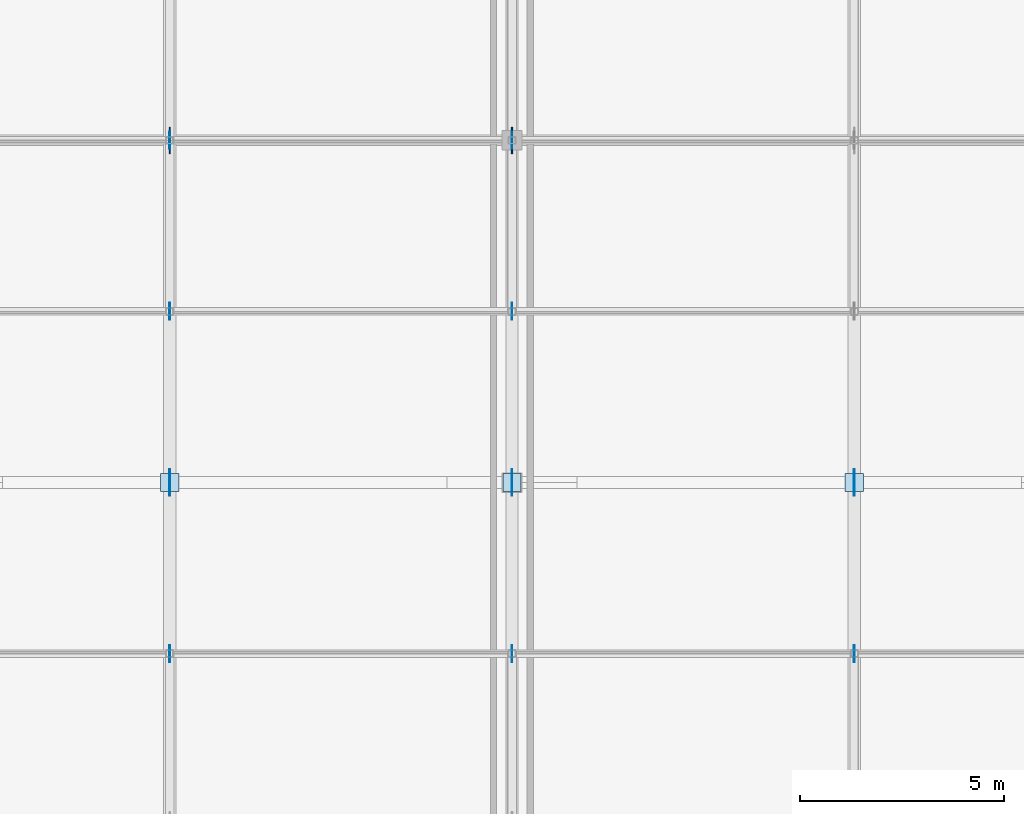
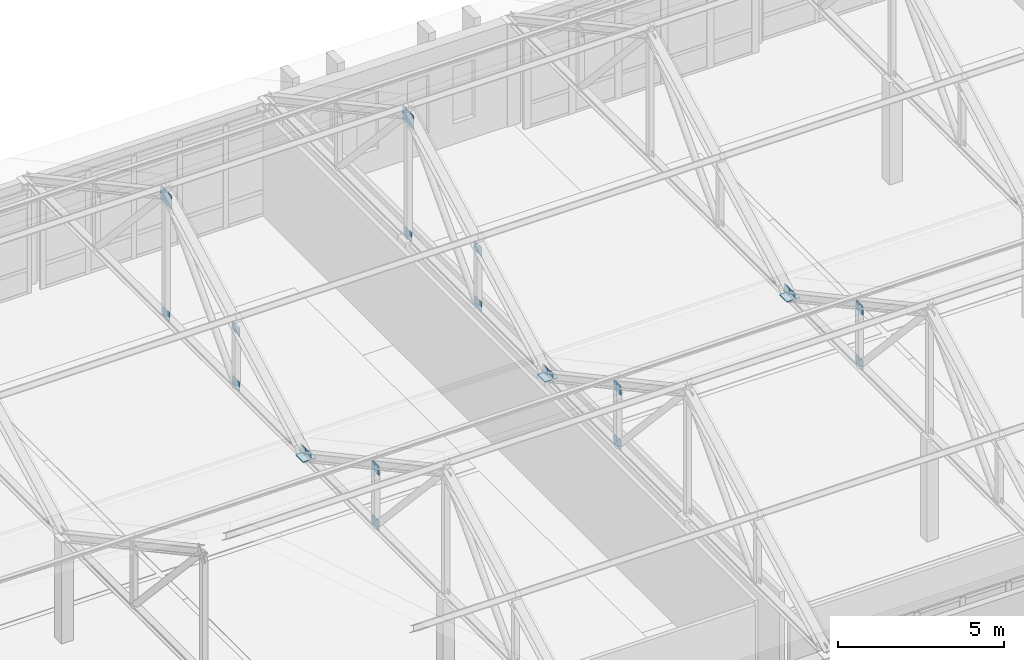
# One storey, part 78 of 110: 23 plates.
"""IFC4 building model written with IfcOpenShell, lengths in metres."""

import ifcopenshell
import ifcopenshell.guid

model = None  # the IFC model being written
_history = None  # IfcOwnerHistory: only IFC2X3 demands one
_inside = {}  # id of a spatial element -> (the spatial element, [elements in it])
_under = {}  # id of a project, library or spatial element -> (it, [spatial elements below it])
_declared = {}  # id of a project -> (the project, [libraries it declares])
_typed = {}  # id of a type object -> (the type object, [elements of that type])
_made_of = {}  # id of a material, layer set ... -> (it, [elements and type objects made of it])


def new_model(schema):
    """Start an empty IFC model of exactly this schema.

    Asked for "IFC4X3", IfcOpenShell would pick the latest addendum, in which some entities
    have other attributes; the version numbers below select the first issue.
    IFC2X3 requires an IfcOwnerHistory on every rooted entity: one is made here for all.
    """
    global model, _history
    if schema == "IFC4X3":
        model = ifcopenshell.file(schema_version=(4, 3, 0, 0))
    else:
        model = ifcopenshell.file(schema=schema)
    _inside.clear()
    _under.clear()
    _declared.clear()
    _typed.clear()
    _made_of.clear()
    _history = None
    if model.schema == "IFC2X3":
        org = make("IfcOrganization", Name="unknown")
        user = make(
            "IfcPersonAndOrganization",
            ThePerson=make("IfcPerson", FamilyName="unknown"),
            TheOrganization=org,
        )
        app = make(
            "IfcApplication",
            ApplicationDeveloper=org,
            Version="unknown",
            ApplicationFullName="unknown",
            ApplicationIdentifier="unknown",
        )
        _history = make(
            "IfcOwnerHistory",
            OwningUser=user,
            OwningApplication=app,
            ChangeAction="ADDED",
            CreationDate=0,
        )
    return model


def make(cls, **values):
    """One entity of the class cls with the attributes given. An attribute that is None is left unset."""
    return model.create_entity(
        cls, **{name: value for name, value in values.items() if value is not None}
    )


def rooted(cls, **values):
    """An entity with a GlobalId (a new one), such as an element, a storey or a relation."""
    return make(cls, GlobalId=ifcopenshell.guid.new(), OwnerHistory=_history, **values)


def si_unit(unit_type, name, prefix=None):
    """IfcSIUnit, for example si_unit("LENGTHUNIT", "METRE", prefix="MILLI")."""
    return make("IfcSIUnit", UnitType=unit_type, Prefix=prefix, Name=name)


def assignment(units):
    """IfcUnitAssignment: the units of a project."""
    return None if units is None else make("IfcUnitAssignment", Units=units)


def point(xyz):
    """IfcCartesianPoint."""
    return None if xyz is None else make("IfcCartesianPoint", Coordinates=xyz)


def direction(xyz):
    """IfcDirection."""
    return None if xyz is None else make("IfcDirection", DirectionRatios=xyz)


def frame(location, z_axis=None, x_axis=None):
    """IfcAxis2Placement3D, a coordinate frame: its origin and axes. An axis left out is left unset."""
    return make(
        "IfcAxis2Placement3D",
        Location=point(location),
        Axis=direction(z_axis),
        RefDirection=direction(x_axis),
    )


def frame_2d(location, x_axis=None):
    """IfcAxis2Placement2D, a coordinate frame in the plane: its origin and x axis."""
    return make(
        "IfcAxis2Placement2D", Location=point(location), RefDirection=direction(x_axis)
    )


def origin():
    """The frame at (0, 0, 0) with its axes left unset."""
    return frame((0.0, 0.0, 0.0))


def origin_2d():
    """The frame at (0, 0) in the plane with its x axis left unset."""
    return frame_2d((0.0, 0.0))


def place(relative_to, where):
    """IfcLocalPlacement: puts the frame where relative to a parent placement (None: the world)."""
    return make(
        "IfcLocalPlacement", PlacementRelTo=relative_to, RelativePlacement=where
    )


def context(
    kind, dimensions, precision=None, world=None, true_north=None, identifier=None
):
    """IfcGeometricRepresentationContext, for example the 3D "Model" context."""
    return make(
        "IfcGeometricRepresentationContext",
        ContextIdentifier=identifier,
        ContextType=kind,
        CoordinateSpaceDimension=dimensions,
        Precision=precision,
        WorldCoordinateSystem=world,
        TrueNorth=true_north,
    )


def subcontext(parent, identifier, kind, view, scale=None):
    """IfcGeometricRepresentationSubContext, for example "Body" below "Model"."""
    return make(
        "IfcGeometricRepresentationSubContext",
        ContextIdentifier=identifier,
        ContextType=kind,
        ParentContext=parent,
        TargetScale=scale,
        TargetView=view,
    )


def project(units=None, contexts=None):
    """IfcProject with its units and contexts."""
    return rooted(
        "IfcProject",
        Name="project",
        RepresentationContexts=contexts,
        UnitsInContext=assignment(units),
    )


def spatial(cls, under=None, at=None, **own):
    """A site, building, storey or space (cls), placed at a placement, below another one or the project."""
    s = rooted(cls, ObjectPlacement=at, **own)
    if under is not None:
        _under.setdefault(under.id(), (under, []))[1].append(s)
    return s


def profile(cls, at=None, kind="AREA", **sizes):
    """A parametric profile (cls). Its sizes go by their IFC names, for example OverallWidth=200.0."""
    return make(cls, ProfileType=kind, Position=at, **sizes)


def rectangle(**sizes):
    """IfcRectangleProfileDef."""
    return profile("IfcRectangleProfileDef", **sizes)


def extrude(swept, where, along, depth):
    """IfcExtrudedAreaSolid: the profile swept, set in the frame where, extruded along a direction by depth."""
    return make(
        "IfcExtrudedAreaSolid",
        SweptArea=swept,
        Position=where,
        ExtrudedDirection=direction(along),
        Depth=depth,
    )


def shape(context_of_items, identifier, shape_type, items):
    """IfcShapeRepresentation: the items that make up one representation, for example the "Body"."""
    return make(
        "IfcShapeRepresentation",
        ContextOfItems=context_of_items,
        RepresentationIdentifier=identifier,
        RepresentationType=shape_type,
        Items=items,
    )


def material(Name=None, Category=None):
    """IfcMaterial."""
    return make("IfcMaterial", Name=Name, Category=Category)


def layer(
    of_material, thickness, ventilated=None, Name=None, Category=None, Priority=None
):
    """IfcMaterialLayer: one layer of a wall or slab, of a material (None: an air gap)."""
    return make(
        "IfcMaterialLayer",
        Material=of_material,
        LayerThickness=thickness,
        IsVentilated=ventilated,
        Name=Name,
        Category=Category,
        Priority=Priority,
    )


def layer_set(layers, Name=None):
    """IfcMaterialLayerSet."""
    return make("IfcMaterialLayerSet", MaterialLayers=layers, LayerSetName=Name)


def made_of(thing, what):
    """Note that an element or type object is made of a material, layer set ...; save() writes the relation."""
    if what is not None:
        _made_of.setdefault(what.id(), (what, []))[1].append(thing)
    return thing


def type_object(cls, material=None, **own):
    """A type object (cls), such as IfcWallType, which elements share."""
    return made_of(rooted(cls, **own), material)


def element(
    cls,
    number,
    at=None,
    inside=None,
    cuts=None,
    type_object=None,
    material=None,
    context=None,
    identifier="Body",
    shape_type=None,
    held_by="IfcProductDefinitionShape",
    body=None,
    shapes=None,
    **own,
):
    """One element of the class cls, such as IfcWall. Its Tag is "e" and its number.

    at: its placement. inside: the storey or other place that contains it. cuts: it is an
    opening in that element (IfcRelVoidsElement). A single representation is given by context,
    identifier, shape_type and body (its items); several are given by shapes. held_by: the class
    of the entity that holds the representations. save() writes the other relations.
    """
    e = rooted(cls, Tag="e%d" % number, ObjectPlacement=at, **own)
    if body is not None:
        shapes = [shape(context, identifier, shape_type, body)]
    if shapes is not None:
        e.Representation = make(held_by, Representations=shapes)
    if inside is not None:
        _inside.setdefault(inside.id(), (inside, []))[1].append(e)
    if cuts is not None:
        rooted(
            "IfcRelVoidsElement", RelatingBuildingElement=cuts, RelatedOpeningElement=e
        )
    if type_object is not None:
        _typed.setdefault(type_object.id(), (type_object, []))[1].append(e)
    return made_of(e, material)


def aggregate(whole, parts):
    """IfcRelAggregates: a whole, such as a stair, and the parts it consists of."""
    return rooted("IfcRelAggregates", RelatingObject=whole, RelatedObjects=parts)


def save(model, path):
    """Write the relations noted so far, then the file.

    IfcRelAggregates (storeys below a building ...), IfcRelContainedInSpatialStructure (elements
    in a storey), IfcRelDefinesByType, IfcRelAssociatesMaterial and IfcRelDeclares: one each for
    every whole, place, type object, material and project.
    """
    for whole, parts in _under.values():
        aggregate(whole, parts)
    for where, things in _inside.values():
        rooted(
            "IfcRelContainedInSpatialStructure",
            RelatedElements=things,
            RelatingStructure=where,
        )
    for kind, things in _typed.values():
        rooted("IfcRelDefinesByType", RelatedObjects=things, RelatingType=kind)
    for what, things in _made_of.values():
        rooted("IfcRelAssociatesMaterial", RelatedObjects=things, RelatingMaterial=what)
    for by, libraries in _declared.values():
        rooted("IfcRelDeclares", RelatingContext=by, RelatedDefinitions=libraries)
    model.write(path)


model = new_model("IFC4")

# Units and contexts
model_context = context("Model", 3, precision=1e-05, world=origin(), true_north=direction((0.0, 1.0)))
body_context = subcontext(model_context, "Body", "Model", "MODEL_VIEW")
ifc_project = project(units=[si_unit("LENGTHUNIT", "METRE"), si_unit("AREAUNIT", "SQUARE_METRE"), si_unit("VOLUMEUNIT", "CUBIC_METRE"), si_unit("PLANEANGLEUNIT", "RADIAN"), si_unit("MASSUNIT", "GRAM", prefix="KILO")], contexts=[model_context])

# Site, building, storey
site_placement = place(None, origin())
site = spatial("IfcSite", under=ifc_project, at=site_placement, CompositionType="ELEMENT")
building_placement = place(site_placement, origin())
building = spatial("IfcBuilding", under=site, at=building_placement, Name="Kveldsbrygga Polytechnic", CompositionType="ELEMENT")
storey_placement = place(building_placement, frame((0.0, 0.0, 9.860107421875)))
storey = spatial("IfcBuildingStorey", under=building, at=storey_placement, Name="L02", CompositionType="ELEMENT", Elevation=9.860107421875)

# Plates
ifc_material = material(Name="Steel S355", Category="steel")
ifc_layer_1 = layer(ifc_material, 0.030029296875)
ifc_layer_set_1 = layer_set([ifc_layer_1], Name="Steel S355")
plate_type_1 = type_object("IfcPlateType", Name="CAP-BEAR-450", PredefinedType="SHEET", material=ifc_layer_set_1)
for number, where, z_axis, x_axis, name in (
    (1, (67.199951171875, 100.800048828125, 3.75), (0.0, 0.0, 1.0), (1.0, 0.0, 0.0), "Truss Bearing Plate V2L1-T04-B"),
    (2, (75.60009765625, 100.800048828125, 3.75), (0.0, 0.0, 1.0), (1.0, 0.0, 0.0), "Truss Bearing Plate V2L1-T05-B"),
    (3, (84.0, 100.800048828125, 3.75), (0.0, 0.0, 1.0), (1.0, 0.0, 0.0), "Truss Bearing Plate V2L1-T06-B"),
):
    element("IfcPlate", number, at=place(storey_placement, frame(where, z_axis=z_axis, x_axis=x_axis)), inside=storey, type_object=plate_type_1, Name=name, PredefinedType="SHEET", context=body_context, shape_type="SweptSolid", body=[
        extrude(rectangle(XDim=0.449951171875, YDim=0.449951171875, at=origin_2d()), origin(), (0.0, 0.0, 1.0), 0.030029296875),
    ])
ifc_layer_2 = layer(ifc_material, 0.02490234375)
ifc_layer_set_2 = layer_set([ifc_layer_2], Name="Steel S355")
plate_type_2 = type_object("IfcPlateType", Name="GUS-APEX-650", PredefinedType="SHEET", material=ifc_layer_set_2)
for number, where, z_axis, x_axis, name in (
    (4, (67.199951171875, 109.199951171875, 7.929931640625), (0.0, 0.0, 1.0), (1.0, 0.0, 0.0), "Truss Gusset Plate V2L2-T04-GP-2"),
    (5, (75.60009765625, 109.199951171875, 7.929931640625), (0.0, 0.0, 1.0), (1.0, 0.0, 0.0), "Truss Gusset Plate V2L2-T05-GP-2"),
):
    element("IfcPlate", number, at=place(storey_placement, frame(where, z_axis=z_axis, x_axis=x_axis)), inside=storey, type_object=plate_type_2, Name=name, PredefinedType="SHEET", context=body_context, shape_type="SweptSolid", body=[
        extrude(rectangle(XDim=0.02490234375, YDim=0.64990234375, at=origin_2d()), origin(), (0.0, 0.0, 1.0), 0.5),
    ])
ifc_layer_3 = layer(ifc_material, 0.01806640625)
ifc_layer_set_3 = layer_set([ifc_layer_3], Name="Steel S355")
plate_type_3 = type_object("IfcPlateType", Name="GUS-BRACE-320", PredefinedType="SHEET", material=ifc_layer_set_3)
for number, where, z_axis, x_axis, name in (
    (6, (67.199951171875, 100.639892578125, 3.73974609375), (0.0, 0.0, 1.0), (1.0, 0.0, 0.0), "Truss Eaves Node Gusset V2L1-T04-EGP-B"),
    (7, (75.60009765625, 100.639892578125, 3.73974609375), (0.0, 0.0, 1.0), (1.0, 0.0, 0.0), "Truss Eaves Node Gusset V2L1-T05-EGP-B"),
    (8, (84.0, 100.639892578125, 3.73974609375), (0.0, 0.0, 1.0), (1.0, 0.0, 0.0), "Truss Eaves Node Gusset V2L1-T06-EGP-B"),
    (9, (67.199951171875, 100.9599609375, 3.73974609375), (0.0, 0.0, 1.0), (1.0, 0.0, 0.0), "Truss Eaves Node Gusset V2L2-T04-EGP-A"),
    (10, (75.60009765625, 100.9599609375, 3.73974609375), (0.0, 0.0, 1.0), (1.0, 0.0, 0.0), "Truss Eaves Node Gusset V2L2-T05-EGP-A"),
    (11, (84.0, 100.9599609375, 3.73974609375), (0.0, 0.0, 1.0), (1.0, 0.0, 0.0), "Truss Eaves Node Gusset V2L2-T06-EGP-A"),
):
    element("IfcPlate", number, at=place(storey_placement, frame(where, z_axis=z_axis, x_axis=x_axis)), inside=storey, type_object=plate_type_3, Name=name, PredefinedType="SHEET", context=body_context, shape_type="SweptSolid", body=[
        extrude(rectangle(XDim=0.01806640625, YDim=0.320068359375, at=origin_2d()), origin(), (0.0, 0.0, 1.0), 0.320068359375),
    ])
ifc_layer_4 = layer(ifc_material, 0.02001953125)
ifc_layer_set_4 = layer_set([ifc_layer_4], Name="Steel S355")
plate_type_4 = type_object("IfcPlateType", Name="GUS-LECT-420", PredefinedType="SHEET", material=ifc_layer_set_4)
for number, where, z_axis, x_axis, name in (
    (12, (67.199951171875, 96.60009765625, 5.729736328125), (0.0, 0.0, 1.0), (1.0, 0.0, 0.0), "Truss Gusset Plate V2L1-T04-GP-3"),
    (13, (67.199951171875, 96.60009765625, 3.724853515625), (0.0, 0.0, 1.0), (1.0, 0.0, 0.0), "Truss Bottom-Chord Node Gusset V2L1-T04-BGP-3"),
    (14, (75.60009765625, 96.60009765625, 5.729736328125), (0.0, 0.0, 1.0), (1.0, 0.0, 0.0), "Truss Gusset Plate V2L1-T05-GP-3"),
    (15, (75.60009765625, 96.60009765625, 3.724853515625), (0.0, 0.0, 1.0), (1.0, 0.0, 0.0), "Truss Bottom-Chord Node Gusset V2L1-T05-BGP-3"),
    (16, (84.0, 96.60009765625, 5.729736328125), (0.0, 0.0, 1.0), (1.0, 0.0, 0.0), "Truss Gusset Plate V2L1-T06-GP-3"),
    (17, (84.0, 96.60009765625, 3.724853515625), (0.0, 0.0, 1.0), (1.0, 0.0, 0.0), "Truss Bottom-Chord Node Gusset V2L1-T06-BGP-3"),
    (18, (67.199951171875, 105.0, 5.729736328125), (0.0, 0.0, 1.0), (1.0, 0.0, 0.0), "Truss Gusset Plate V2L2-T04-GP-1"),
    (19, (67.199951171875, 105.0, 3.724853515625), (0.0, 0.0, 1.0), (1.0, 0.0, 0.0), "Truss Bottom-Chord Node Gusset V2L2-T04-BGP-1"),
    (20, (67.199951171875, 109.199951171875, 3.724853515625), (0.0, 0.0, 1.0), (1.0, 0.0, 0.0), "Truss Bottom-Chord Node Gusset V2L2-T04-BGP-2"),
    (21, (75.60009765625, 105.0, 5.729736328125), (0.0, 0.0, 1.0), (1.0, 0.0, 0.0), "Truss Gusset Plate V2L2-T05-GP-1"),
    (22, (75.60009765625, 105.0, 3.724853515625), (0.0, 0.0, 1.0), (1.0, 0.0, 0.0), "Truss Bottom-Chord Node Gusset V2L2-T05-BGP-1"),
    (23, (75.60009765625, 109.199951171875, 3.724853515625), (0.0, 0.0, 1.0), (1.0, 0.0, 0.0), "Truss Bottom-Chord Node Gusset V2L2-T05-BGP-2"),
):
    element("IfcPlate", number, at=place(storey_placement, frame(where, z_axis=z_axis, x_axis=x_axis)), inside=storey, type_object=plate_type_4, Name=name, PredefinedType="SHEET", context=body_context, shape_type="SweptSolid", body=[
        extrude(rectangle(XDim=0.02001953125, YDim=0.419921875, at=origin_2d()), origin(), (0.0, 0.0, 1.0), 0.35009765625),
    ])

save(model, "model.ifc")
